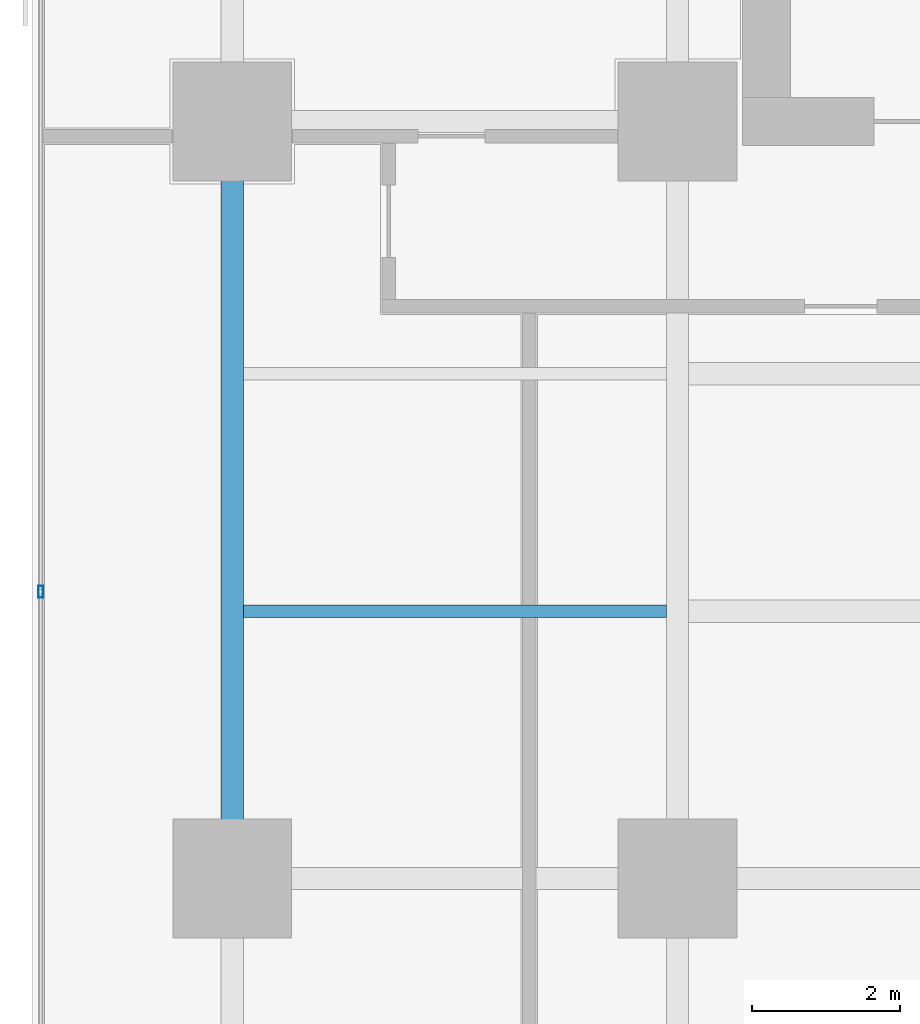
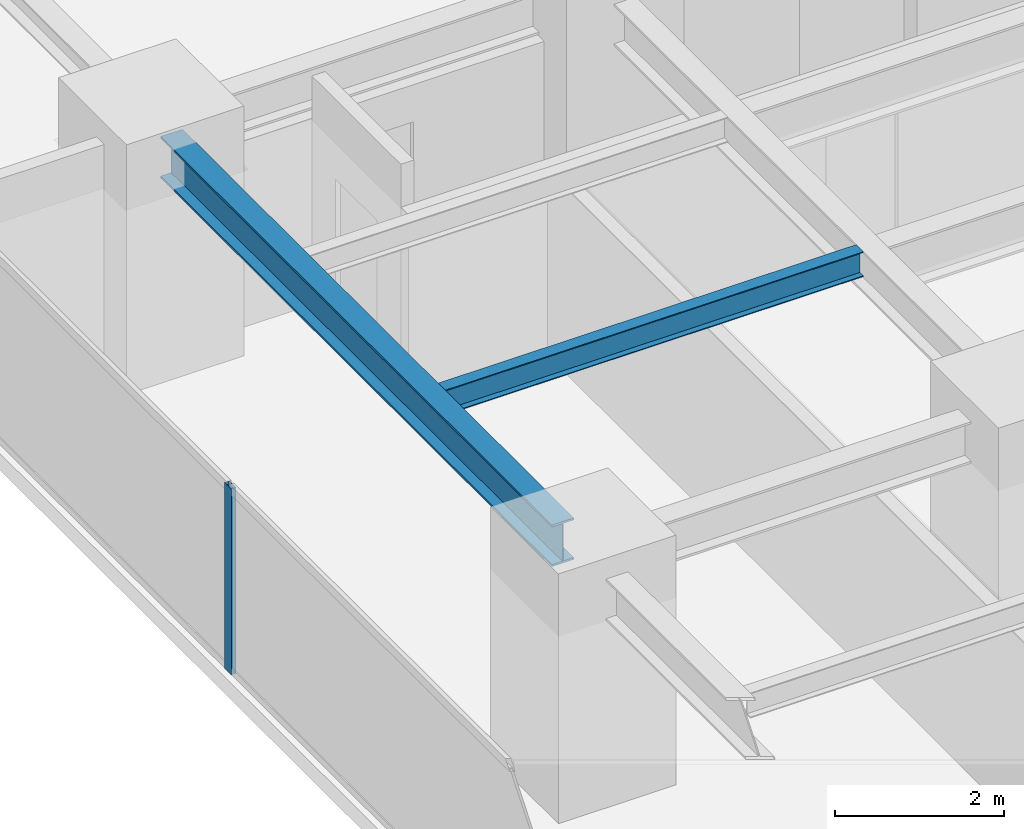
# One storey, part 10 of 36: 2 beams, 1 member, 1 element without a shape of its own.
"""IFC4 building model written with IfcOpenShell, lengths in metres."""

from ifc_helpers import new_model, si_unit, direction, frame, origin, origin_2d, place, context, subcontext, project, spatial, hollow_rectangle, i_section, extrude, source, transform, mapped, material, layer, layer_set, material_profile, profile_set, type_object, element, aggregate, save


model = new_model("IFC4")

# Units and contexts
model_context = context("Model", 3, precision=1e-05, world=origin(), true_north=direction((0.0, 1.0)))
body_context = subcontext(model_context, "Body", "Model", "MODEL_VIEW")
ifc_project = project(units=[si_unit("LENGTHUNIT", "METRE"), si_unit("AREAUNIT", "SQUARE_METRE"), si_unit("VOLUMEUNIT", "CUBIC_METRE"), si_unit("PLANEANGLEUNIT", "RADIAN"), si_unit("MASSUNIT", "GRAM", prefix="KILO")], contexts=[model_context])

# Site, building, storey
site_placement = place(None, origin())
site = spatial("IfcSite", under=ifc_project, at=site_placement, CompositionType="ELEMENT")
building_placement = place(site_placement, origin())
building = spatial("IfcBuilding", under=site, at=building_placement, Name="Sumidabori Civic Tower", CompositionType="ELEMENT")
storey_placement = place(building_placement, frame((0.0, 0.0, 120.800048828125)))
storey = spatial("IfcBuildingStorey", under=building, at=storey_placement, Name="L31", CompositionType="ELEMENT", Elevation=120.800048828125)

# Beams
ifc_material_1 = material(Name="Steel SN490", Category="steel")
ifc_material_profile_1 = material_profile(ifc_material_1, i_section(OverallWidth=0.300048828125, OverallDepth=0.60009765625, WebThickness=0.015380859375, FlangeThickness=0.030029296875, at=origin_2d()), Name="HE 600 B")
ifc_profile_set_1 = profile_set([ifc_material_profile_1], Name="Steel SN490")
beam_type_1 = type_object("IfcBeamType", Name="BM-GIRD-600", PredefinedType="BEAM", material=ifc_profile_set_1)
shared_shape_1 = source(origin(), body_context, "Body", "SweptSolid", [
    extrude(i_section(OverallWidth=0.300048828125, OverallDepth=0.60009765625, WebThickness=0.015380859375, FlangeThickness=0.030029296875, at=origin_2d()), origin(), (0.0, 0.0, 1.0), 9.239990234375),
])
beam_1_placement = place(storey_placement, frame((-22.800048828125, 0.47998046875, 3.0), z_axis=(0.0, 1.0, 0.0), x_axis=(-1.0, 0.0, 0.0)))
element("IfcBeam", 1, at=beam_1_placement, inside=storey, type_object=beam_type_1, Name="Primary Girder L31 GY-23", PredefinedType="BEAM", context=body_context, shape_type="MappedRepresentation", body=[
    mapped(shared_shape_1, transform((0.0, 0.0, 0.0), x_axis=(1.0, 0.0, 0.0), y_axis=(0.0, 1.0, 0.0), z_axis=(0.0, 0.0, 1.0), scale=1.0)),
])
ifc_material_profile_2 = material_profile(ifc_material_1, i_section(OverallWidth=0.169921875, OverallDepth=0.360107421875, WebThickness=0.008056640625, FlangeThickness=0.0126953125, at=origin_2d()), Name="IPE 360")
ifc_profile_set_2 = profile_set([ifc_material_profile_2], Name="Steel SN490")
beam_type_2 = type_object("IfcBeamType", Name="BM-JST-360", PredefinedType="JOIST", material=ifc_profile_set_2)
shared_shape_2 = source(origin(), body_context, "Body", "SweptSolid", [
    extrude(i_section(OverallWidth=0.169921875, OverallDepth=0.360107421875, WebThickness=0.008056640625, FlangeThickness=0.0126953125, at=origin_2d()), origin(), (0.0, 0.0, 1.0), 5.699951171875),
])
beam_2_placement = place(storey_placement, frame((-22.64990234375, 3.60009765625, 3.119873046875), z_axis=(1.0, 0.0, 0.0), x_axis=(0.0, 1.0, 0.0)))
element("IfcBeam", 2, at=beam_2_placement, inside=storey, type_object=beam_type_2, Name="Outer Bay Floor Joist L31 JSTO-47", PredefinedType="JOIST", context=body_context, shape_type="MappedRepresentation", body=[
    mapped(shared_shape_2, transform((0.0, 0.0, 0.0), x_axis=(1.0, 0.0, 0.0), y_axis=(0.0, 1.0, 0.0), z_axis=(0.0, 0.0, 1.0), scale=1.0)),
])

# Curtain wall, member
ifc_material_2 = material(Name="Anodised Bronze Aluminium AW-6063-T6", Category="aluminium")
ifc_layer = layer(ifc_material_2, 0.179931640625, Name="Anodised Bronze Aluminium AW-6063-T6")
ifc_layer_set = layer_set([ifc_layer], Name="Anodised Bronze Aluminium AW-6063-T6")
curtain_wall_type = type_object("IfcCurtainWallType", Name="CW-SYS-3", PredefinedType="NOTDEFINED", material=ifc_layer_set)
curtain_wall_placement = place(storey_placement, origin())
curtain_wall = element("IfcCurtainWall", 3, at=curtain_wall_placement, inside=storey, type_object=curtain_wall_type, Name="Curtain Wall CW:L31:R10", PredefinedType="NOTDEFINED")
ifc_material_profile_3 = material_profile(ifc_material_2, hollow_rectangle(XDim=0.06494140625, YDim=0.159912109375, WallThickness=0.0048828125, at=origin_2d()), Name="ALU MULLION 160x65")
ifc_profile_set_3 = profile_set([ifc_material_profile_3], Name="Anodised Bronze Aluminium AW-6063-T6")
member_type = type_object("IfcMemberType", Name="CW-MUL-160", PredefinedType="MULLION", material=ifc_profile_set_3)
shared_shape_3 = source(origin(), body_context, "Body", "SweptSolid", [
    extrude(hollow_rectangle(XDim=0.06494140625, YDim=0.159912109375, WallThickness=0.0048828125, at=origin_2d()), origin(), (0.0, 0.0, 1.0), 2.679931640625),
])
member_placement = place(storey_placement, frame((-25.3798828125, 3.864013671875, 0.0), z_axis=(0.0, 0.0, 1.0), x_axis=(1.0, 0.0, 0.0)))
member = element("IfcMember", 4, at=member_placement, type_object=member_type, Name="CW-3 mullion 3", PredefinedType="MULLION", context=body_context, shape_type="MappedRepresentation", body=[
    mapped(shared_shape_3, transform((0.0, 0.0, 0.0), x_axis=(1.0, 0.0, 0.0), y_axis=(0.0, 1.0, 0.0), z_axis=(0.0, 0.0, 1.0), scale=1.0)),
])
aggregate(curtain_wall, [member])

save(model, "model.ifc")
